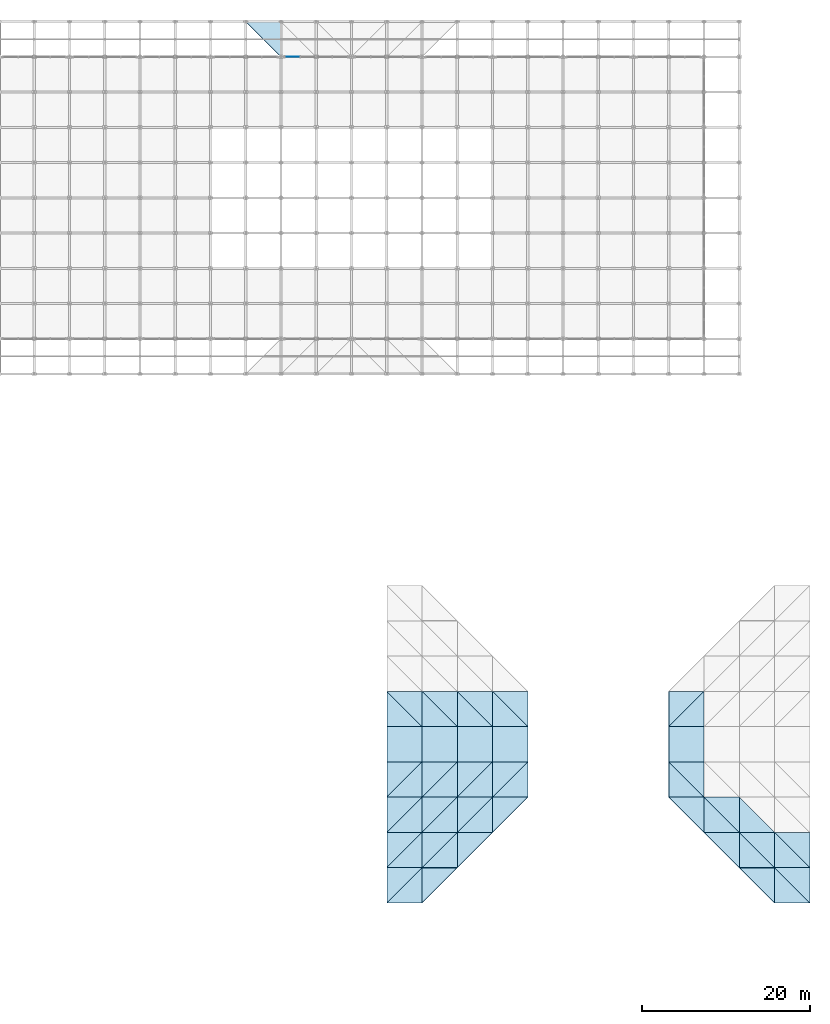
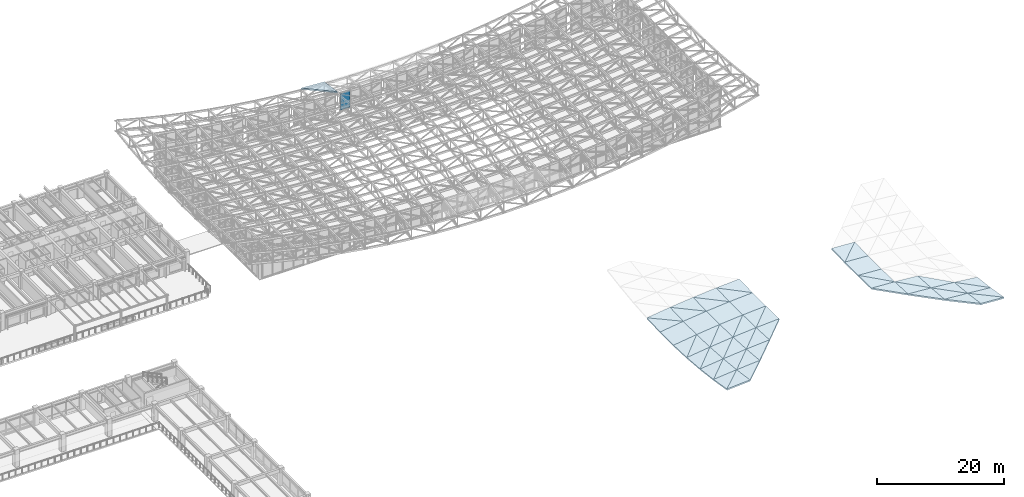
# One storey, part 66 of 111: 53 slabs, 1 plate, 1 element without a shape of its own.
"""IFC4 building model written with IfcOpenShell, lengths in metres."""

from ifc_helpers import new_model, si_unit, direction, frame, origin, origin_2d, place, context, subcontext, project, spatial, polyline, rectangle, outline, extrude, material, layer, layer_set, type_object, element, aggregate, save


model = new_model("IFC4")

# Units and contexts
model_context = context("Model", 3, precision=1e-05, world=origin(), true_north=direction((0.0, 1.0)))
body_context = subcontext(model_context, "Body", "Model", "MODEL_VIEW")
ifc_project = project(units=[si_unit("LENGTHUNIT", "METRE"), si_unit("AREAUNIT", "SQUARE_METRE"), si_unit("VOLUMEUNIT", "CUBIC_METRE"), si_unit("PLANEANGLEUNIT", "RADIAN"), si_unit("MASSUNIT", "GRAM", prefix="KILO")], contexts=[model_context])

# Site, building, storey
site_placement = place(None, origin())
site = spatial("IfcSite", under=ifc_project, at=site_placement, CompositionType="ELEMENT")
building_placement = place(site_placement, origin())
building = spatial("IfcBuilding", under=site, at=building_placement, Name="Cumbredor Promenade Congress Hotel", CompositionType="ELEMENT")
storey_placement = place(building_placement, frame((0.0, 0.0, 15.1201171875)))
storey = spatial("IfcBuildingStorey", under=building, at=storey_placement, Name="L04", CompositionType="ELEMENT", Elevation=15.1201171875)

# Slabs
ifc_material_1 = material(Name="Concrete C40/50", Category="concrete")
ifc_layer_1 = layer(ifc_material_1, 0.25, Name="Concrete C40/50", Category="concrete")
ifc_layer_set_1 = layer_set([ifc_layer_1], Name="Concrete C40/50")
slab_type = type_object("IfcSlabType", Name="Catenary Space Frame Roof Deck 250mm", PredefinedType="ROOF", material=ifc_layer_set_1)
slab_1_placement = place(storey_placement, frame((138.60009765625, 16.800048828125, 3.4736328125), z_axis=(-0.064059215696, 0.138057663961, 0.988350392475), x_axis=(0.997906149499, 0.0, 0.064678565174)))
element("IfcSlab", 1, at=slab_1_placement, inside=storey, type_object=slab_type, Name="Grand Ballroom Pavilion Sweeping Roof Deck Facet 1.5.1", PredefinedType="ROOF", context=body_context, shape_type="SweptSolid", body=[
    extrude(outline(polyline([(0.0, 0.0), (4.208763693845863, -6.938893903907228e-18), (4.170818725068158, 4.240557937667102), (0.0, 0.0)])), origin(), (0.0, 0.0, -1.0), 0.25),
])
slab_2_placement = place(storey_placement, frame((138.60009765625, 16.800048828125, 3.4736328125), z_axis=(-0.092176094731, 0.16568867059, 0.981860902571), x_axis=(0.70611791712, 0.70611791712, -0.052867515971)))
element("IfcSlab", 2, at=slab_2_placement, inside=storey, type_object=slab_type, Name="Grand Ballroom Pavilion Sweeping Roof Deck Facet 1.5.2", PredefinedType="ROOF", context=body_context, shape_type="SweptSolid", body=[
    extrude(outline(polyline([(0.0, 0.0), (5.947945902586088, 0.0), (3.0031301091491565, 3.0204489920337823), (0.0, 0.0)])), origin(), (0.0, 0.0, -1.0), 0.25),
])
slab_3_placement = place(storey_placement, frame((138.60009765625, 21.0, 2.764892578125), z_axis=(-0.092963249321, 0.103784977416, 0.990245683019), x_axis=(0.995622284371, 0.0, 0.093467999143)))
element("IfcSlab", 3, at=slab_3_placement, inside=storey, type_object=slab_type, Name="Grand Ballroom Pavilion Sweeping Roof Deck Facet 1.6.1", PredefinedType="ROOF", context=body_context, shape_type="SweptSolid", body=[
    extrude(outline(polyline([(0.0, 0.0), (4.218418207190164, 6.938893903907228e-18), (4.1772749448720345, 4.222755071488003), (0.0, 0.0)])), origin(), (0.0, 0.0, -1.0), 0.25),
])
slab_4_placement = place(storey_placement, frame((138.60009765625, 21.0, 2.764892578125), z_axis=(-0.113957332727, 0.124728563775, 0.985624934595), x_axis=(0.707085669988, 0.707085669988, -0.007727263033)))
element("IfcSlab", 4, at=slab_4_placement, inside=storey, type_object=slab_type, Name="Grand Ballroom Pavilion Sweeping Roof Deck Facet 1.6.2", PredefinedType="ROOF", context=body_context, shape_type="SweptSolid", body=[
    extrude(outline(polyline([(0.0, 0.0), (5.939805245867352, 2.5240226575462543e-16), (2.9738322833091337, 3.013037905238047), (0.0, 0.0)])), origin(), (0.0, 0.0, -1.0), 0.25),
])
slab_5_placement = place(storey_placement, frame((138.60009765625, 25.199951171875, 2.2333984375), z_axis=(-0.114578573817, 0.069242556927, 0.990998092194), x_axis=(0.993382355075, 0.0, 0.114854240786)))
element("IfcSlab", 5, at=slab_5_placement, inside=storey, type_object=slab_type, Name="Grand Ballroom Pavilion Sweeping Roof Deck Facet 1.7.1", PredefinedType="ROOF", context=body_context, shape_type="SweptSolid", body=[
    extrude(outline(polyline([(0.0, 0.0), (4.227930112126695, 0.0), (4.194225327599134, 4.2100559215792135), (0.0, 0.0)])), origin(), (0.0, 0.0, -1.0), 0.25),
])
slab_6_placement = place(storey_placement, frame((138.60009765625, 25.199951171875, 2.2333984375), z_axis=(-0.128557595316, 0.083349897589, 0.988193169), x_axis=(0.706737101646, 0.706737101646, 0.032331692088)))
element("IfcSlab", 6, at=slab_6_placement, inside=storey, type_object=slab_type, Name="Grand Ballroom Pavilion Sweeping Roof Deck Facet 1.7.2", PredefinedType="ROOF", context=body_context, shape_type="SweptSolid", body=[
    extrude(outline(polyline([(0.0, 0.0), (5.942734804910805, 2.42861286636753e-17), (2.9568078794922843, 3.0037258011711523), (0.0, 0.0)])), origin(), (0.0, 0.0, -1.0), 0.25),
])
slab_7_placement = place(storey_placement, frame((138.60009765625, 29.39990234375, 1.879150390625), z_axis=(-0.128929155735, 0.034621053896, 0.99104926993), x_axis=(0.991643748834, 0.0, 0.129006493628)))
element("IfcSlab", 7, at=slab_7_placement, inside=storey, type_object=slab_type, Name="Grand Ballroom Pavilion Sweeping Roof Deck Facet 1.8.1", PredefinedType="ROOF", context=body_context, shape_type="SweptSolid", body=[
    extrude(outline(polyline([(0.0, 0.0), (4.2353427597492725, 3.469446951953614e-18), (4.21641382843318, 4.2027147911800675), (0.0, 0.0)])), origin(), (0.0, 0.0, -1.0), 0.25),
])
slab_8_placement = place(storey_placement, frame((138.60009765625, 29.39990234375, 1.879150390625), z_axis=(-0.135963216815, 0.041770443432, 0.989832932231), x_axis=(0.705491068516, 0.705532078286, 0.067132993034)))
element("IfcSlab", 8, at=slab_8_placement, inside=storey, type_object=slab_type, Name="Grand Ballroom Pavilion Sweeping Roof Deck Facet 1.8.2", PredefinedType="ROOF", context=body_context, shape_type="SweptSolid", body=[
    extrude(outline(polyline([(0.0, 0.0), (5.953230819362397, -1.457167719820518e-16), (2.9514734672575313, 2.9936367870821297), (0.0, 0.0)])), origin(), (0.0, 0.0, -1.0), 0.25),
])
slab_9_placement = place(storey_placement, frame((138.60009765625, 33.60009765625, 1.701904296875), z_axis=(-0.136081984521, 0.0, 0.990697579228), x_axis=(0.990697579228, 0.0, 0.136081984521)))
element("IfcSlab", 9, at=slab_9_placement, inside=storey, type_object=slab_type, Name="Grand Ballroom Pavilion Sweeping Roof Deck Facet 1.9", PredefinedType="ROOF", context=body_context, shape_type="SweptSolid", body=[
    extrude(outline(polyline([(0.0, 0.0), (4.239387740451093, 0.0), (4.239387740451093, 4.199951171875001), (0.0, 4.199951171875001), (0.0, 0.0)])), origin(), (0.0, 0.0, -1.0), 0.25),
])
slab_10_placement = place(storey_placement, frame((138.60009765625, 37.800048828125, 1.701904296875), z_axis=(-0.135963203024, -0.041772867286, 0.989832831837), x_axis=(0.990697579228, 0.0, 0.136081984521)))
element("IfcSlab", 10, at=slab_10_placement, inside=storey, type_object=slab_type, Name="Grand Ballroom Pavilion Sweeping Roof Deck Facet 1.10.1", PredefinedType="ROOF", context=body_context, shape_type="SweptSolid", body=[
    extrude(outline(polyline([(0.0, 0.0), (4.239387740451093, 0.0), (0.024120000186112656, 4.203620374091224), (0.0, 0.0)])), origin(), (0.0, 0.0, -1.0), 0.25),
])
slab_11_placement = place(storey_placement, frame((142.800048828125, 37.800048828125, 2.27880859375), z_axis=(-0.128929146751, -0.034623063985, 0.991049200877), x_axis=(0.0, 0.999390304139, 0.034914466825)))
element("IfcSlab", 11, at=slab_11_placement, inside=storey, type_object=slab_type, Name="Grand Ballroom Pavilion Sweeping Roof Deck Facet 1.10.2", PredefinedType="ROOF", context=body_context, shape_type="SweptSolid", body=[
    extrude(outline(polyline([(0.0, 0.0), (4.20251342691867, 0.0), (4.183436625953352, 4.235299796735234), (0.0, 0.0)])), origin(), (0.0, 0.0, -1.0), 0.25),
])
slab_12_placement = place(storey_placement, frame((142.800048828125, 16.800048828125, 3.745849609375), z_axis=(-0.075774519583, 0.137944068604, 0.987537166956), x_axis=(0.706407215211, 0.706407215211, -0.044471255832)))
element("IfcSlab", 12, at=slab_12_placement, inside=storey, type_object=slab_type, Name="Grand Ballroom Pavilion Sweeping Roof Deck Facet 2.5.2", PredefinedType="ROOF", context=body_context, shape_type="SweptSolid", body=[
    extrude(outline(polyline([(0.0, 0.0), (5.945510013823402, -4.85722573273506e-17), (2.9929657595315278, 3.0043181265702996), (0.0, 0.0)])), origin(), (0.0, 0.0, -1.0), 0.25),
])
slab_13_placement = place(storey_placement, frame((142.800048828125, 21.0, 3.1591796875), z_axis=(-0.076219558009, 0.086439907833, 0.993337163963), x_axis=(0.997069127511, 0.0, 0.076505914568)))
element("IfcSlab", 13, at=slab_13_placement, inside=storey, type_object=slab_type, Name="Grand Ballroom Pavilion Sweeping Roof Deck Facet 2.6.1", PredefinedType="ROOF", context=body_context, shape_type="SweptSolid", body=[
    extrude(outline(polyline([(0.0, 0.0), (4.212296876905856, 3.469446951953614e-18), (4.184335608812976, 4.2157303707666465), (0.0, 0.0)])), origin(), (0.0, 0.0, -1.0), 0.25),
])
slab_14_placement = place(storey_placement, frame((142.800048828125, 21.0, 3.1591796875), z_axis=(-0.093590907895, 0.103778848054, 0.990187200814), x_axis=(0.707088068079, 0.707088068079, -0.007275160614)))
element("IfcSlab", 14, at=slab_14_placement, inside=storey, type_object=slab_type, Name="Grand Ballroom Pavilion Sweeping Roof Deck Facet 2.6.2", PredefinedType="ROOF", context=body_context, shape_type="SweptSolid", body=[
    extrude(outline(polyline([(0.0, 0.0), (5.93978510101035, -4.2760933682828295e-16), (2.972937780698883, 2.999165569605158), (0.0, 0.0)])), origin(), (0.0, 0.0, -1.0), 0.25),
])
slab_15_placement = place(storey_placement, frame((142.800048828125, 25.199951171875, 2.718994140625), z_axis=(-0.093942765329, 0.057602052296, 0.993909835153), x_axis=(0.995562844443, 0.0, 0.094099005119)))
element("IfcSlab", 15, at=slab_15_placement, inside=storey, type_object=slab_type, Name="Grand Ballroom Pavilion Sweeping Roof Deck Facet 2.7.1", PredefinedType="ROOF", context=body_context, shape_type="SweptSolid", body=[
    extrude(outline(polyline([(0.0, 0.0), (4.218670067206532, -3.469446951953614e-18), (4.195765597454634, 4.206936270583156), (0.0, 0.0)])), origin(), (0.0, 0.0, -1.0), 0.25),
])
slab_16_placement = place(storey_placement, frame((142.800048828125, 25.199951171875, 2.718994140625), z_axis=(-0.105582595074, 0.069312003976, 0.991992016965), x_axis=(0.706870570107, 0.706870570107, 0.02584558441)))
element("IfcSlab", 16, at=slab_16_placement, inside=storey, type_object=slab_type, Name="Grand Ballroom Pavilion Sweeping Roof Deck Facet 2.7.2", PredefinedType="ROOF", context=body_context, shape_type="SweptSolid", body=[
    extrude(outline(polyline([(0.0, 0.0), (5.94161272160446, -2.6020852139652106e-16), (2.961237310812713, 2.9927880754197984), (0.0, 0.0)])), origin(), (0.0, 0.0, -1.0), 0.25),
])
slab_17_placement = place(storey_placement, frame((142.800048828125, 29.39990234375, 2.425537109375), z_axis=(-0.105793136709, 0.028829987275, 0.993970142438), x_axis=(0.99438347829, 0.0, 0.105837130079)))
element("IfcSlab", 17, at=slab_17_placement, inside=storey, type_object=slab_type, Name="Grand Ballroom Pavilion Sweeping Roof Deck Facet 2.8.1", PredefinedType="ROOF", context=body_context, shape_type="SweptSolid", body=[
    extrude(outline(polyline([(0.0, 0.0), (4.223673525928231, 0.0), (4.210779793528467, 4.201941935696575), (0.0, 0.0)])), origin(), (0.0, 0.0, -1.0), 0.25),
])
slab_18_placement = place(storey_placement, frame((142.800048828125, 29.39990234375, 2.425537109375), z_axis=(-0.111594208283, 0.034694371845, 0.993148041955), x_axis=(0.706028895545, 0.706069936579, 0.054666656331)))
element("IfcSlab", 18, at=slab_18_placement, inside=storey, type_object=slab_type, Name="Grand Ballroom Pavilion Sweeping Roof Deck Facet 2.8.2", PredefinedType="ROOF", context=body_context, shape_type="SweptSolid", body=[
    extrude(outline(polyline([(0.0, 0.0), (5.94869586552827, 8.951173136040325e-16), (2.9576104805776997, 2.9859186468524963), (0.0, 0.0)])), origin(), (0.0, 0.0, -1.0), 0.25),
])
slab_19_placement = place(storey_placement, frame((142.800048828125, 33.60009765625, 2.27880859375), z_axis=(-0.11166143192, 0.0, 0.993746307979), x_axis=(0.993746307979, 0.0, 0.11166143192)))
element("IfcSlab", 19, at=slab_19_placement, inside=storey, type_object=slab_type, Name="Grand Ballroom Pavilion Sweeping Roof Deck Facet 2.9", PredefinedType="ROOF", context=body_context, shape_type="SweptSolid", body=[
    extrude(outline(polyline([(0.0, 0.0), (4.226381661147789, 0.0), (4.226381661147789, 4.199951171875), (0.0, 4.199951171875), (0.0, 0.0)])), origin(), (0.0, 0.0, -1.0), 0.25),
])
slab_20_placement = place(storey_placement, frame((142.800048828125, 37.800048828125, 2.27880859375), z_axis=(-0.111594200475, -0.03469638618, 0.993147972463), x_axis=(0.993746307979, 0.0, 0.11166143192)))
element("IfcSlab", 20, at=slab_20_placement, inside=storey, type_object=slab_type, Name="Grand Ballroom Pavilion Sweeping Roof Deck Facet 2.10.1", PredefinedType="ROOF", context=body_context, shape_type="SweptSolid", body=[
    extrude(outline(polyline([(0.0, 0.0), (4.226381661147789, 3.469446951953614e-18), (0.016383916158211703, 4.202481489634788), (0.0, 0.0)])), origin(), (0.0, 0.0, -1.0), 0.25),
])
slab_21_placement = place(storey_placement, frame((147.0, 37.800048828125, 2.750732421875), z_axis=(-0.105793131597, -0.028831661752, 0.993970094413), x_axis=(0.0, 0.999579574773, 0.028994373529)))
element("IfcSlab", 21, at=slab_21_placement, inside=storey, type_object=slab_type, Name="Grand Ballroom Pavilion Sweeping Roof Deck Facet 2.10.2", PredefinedType="ROOF", context=body_context, shape_type="SweptSolid", body=[
    extrude(outline(polyline([(0.0, 0.0), (4.2017176799837355, 0.0), (4.188756572090475, 4.223653639126816), (0.0, 0.0)])), origin(), (0.0, 0.0, -1.0), 0.25),
])
slab_22_placement = place(storey_placement, frame((147.0, 21.0, 3.4814453125), z_axis=(-0.073118508929, 0.086460037809, 0.9935684906), x_axis=(0.707074909046, 0.707074909046, -0.009494524443)))
element("IfcSlab", 22, at=slab_22_placement, inside=storey, type_object=slab_type, Name="Grand Ballroom Pavilion Sweeping Roof Deck Facet 3.6.2", PredefinedType="ROOF", context=body_context, shape_type="SweptSolid", body=[
    extrude(outline(polyline([(0.0, 0.0), (5.939895643504037, 7.025630077706069e-17), (2.973150137552249, 2.9889032522132064), (0.0, 0.0)])), origin(), (0.0, 0.0, -1.0), 0.25),
])
slab_23_placement = place(storey_placement, frame((147.0, 25.199951171875, 3.115966796875), z_axis=(-0.073306475585, 0.048639367687, 0.996122669428), x_axis=(0.997303071851, 0.0, 0.073393343543)))
element("IfcSlab", 23, at=slab_23_placement, inside=storey, type_object=slab_type, Name="Grand Ballroom Pavilion Sweeping Roof Deck Facet 3.7.1", PredefinedType="ROOF", context=body_context, shape_type="SweptSolid", body=[
    extrude(outline(polyline([(0.0, 0.0), (4.211308769037935, 1.734723475976807e-18), (4.196257399756737, 4.204928101617252), (0.0, 0.0)])), origin(), (0.0, 0.0, -1.0), 0.25),
])
slab_24_placement = place(storey_placement, frame((147.0, 25.199951171875, 3.115966796875), z_axis=(-0.082299424482, 0.057661648776, 0.994938158375), x_axis=(0.706998404473, 0.706998404473, 0.017507488247)))
element("IfcSlab", 24, at=slab_24_placement, inside=storey, type_object=slab_type, Name="Grand Ballroom Pavilion Sweeping Roof Deck Facet 3.7.2", PredefinedType="ROOF", context=body_context, shape_type="SweptSolid", body=[
    extrude(outline(polyline([(0.0, 0.0), (5.940538401928198, -1.8561541192951836e-16), (2.965097311125638, 2.984465669937961), (0.0, 0.0)])), origin(), (0.0, 0.0, -1.0), 0.25),
])
slab_25_placement = place(storey_placement, frame((147.0, 29.39990234375, 2.87255859375), z_axis=(-0.082412311855, 0.024264758631, 0.99630288183), x_axis=(0.996596312275, 0.0, 0.082436583873)))
element("IfcSlab", 25, at=slab_25_placement, inside=storey, type_object=slab_type, Name="Grand Ballroom Pavilion Sweeping Roof Deck Facet 3.8.1", PredefinedType="ROOF", context=body_context, shape_type="SweptSolid", body=[
    extrude(outline(polyline([(0.0, 0.0), (4.214295317117035, -1.734723475976807e-18), (4.205862473210107, 4.201432351155023), (0.0, 0.0)])), origin(), (0.0, 0.0, -1.0), 0.25),
])
slab_26_placement = place(storey_placement, frame((147.0, 29.39990234375, 2.87255859375), z_axis=(-0.087000615098, 0.028882756814, 0.995789475407), x_axis=(0.70648492863, 0.706525996172, 0.041231812378)))
element("IfcSlab", 26, at=slab_26_placement, inside=storey, type_object=slab_type, Name="Grand Ballroom Pavilion Sweeping Roof Deck Facet 3.8.2", PredefinedType="ROOF", context=body_context, shape_type="SweptSolid", body=[
    extrude(outline(polyline([(0.0, 0.0), (5.944856007077805, 4.649058915617843e-16), (2.962524063419688, 2.9799217192671343), (0.0, 0.0)])), origin(), (0.0, 0.0, -1.0), 0.25),
])
slab_27_placement = place(storey_placement, frame((147.0, 33.60009765625, 2.750732421875), z_axis=(-0.087036926368, 0.0, 0.996205086038), x_axis=(0.996205086038, 0.0, 0.087036926368)))
element("IfcSlab", 27, at=slab_27_placement, inside=storey, type_object=slab_type, Name="Grand Ballroom Pavilion Sweeping Roof Deck Facet 3.9", PredefinedType="ROOF", context=body_context, shape_type="SweptSolid", body=[
    extrude(outline(polyline([(0.0, 0.0), (4.215950340685193, 0.0), (4.215950340685193, 4.199951171875), (0.0, 4.199951171875), (0.0, 0.0)])), origin(), (0.0, 0.0, -1.0), 0.25),
])
slab_28_placement = place(storey_placement, frame((147.0, 37.800048828125, 2.750732421875), z_axis=(-0.087000610879, -0.02888443435, 0.995789427117), x_axis=(0.996205086038, 0.0, 0.087036926368)))
element("IfcSlab", 28, at=slab_28_placement, inside=storey, type_object=slab_type, Name="Grand Ballroom Pavilion Sweeping Roof Deck Facet 3.10.1", PredefinedType="ROOF", context=body_context, shape_type="SweptSolid", body=[
    extrude(outline(polyline([(0.0, 0.0), (4.215950340685192, 0.0), (0.01060337555122703, 4.20170430072308), (0.0, 0.0)])), origin(), (0.0, 0.0, -1.0), 0.25),
])
slab_29_placement = place(storey_placement, frame((151.199951171875, 37.800048828125, 3.11767578125), z_axis=(-0.082412309034, -0.024266168296, 0.99630284773), x_axis=(0.0, 0.999703519252, 0.024348995789)))
element("IfcSlab", 29, at=slab_29_placement, inside=storey, type_object=slab_type, Name="Grand Ballroom Pavilion Sweeping Roof Deck Facet 3.10.2", PredefinedType="ROOF", context=body_context, shape_type="SweptSolid", body=[
    extrude(outline(polyline([(0.0, 0.0), (4.201196745830359, 0.0), (4.192737609841973, 4.214286827316444), (0.0, 0.0)])), origin(), (0.0, 0.0, -1.0), 0.25),
])
slab_30_placement = place(storey_placement, frame((151.199951171875, 25.199951171875, 3.425048828125), z_axis=(-0.058944578235, 0.048685787332, 0.997073332714), x_axis=(0.707088068079, 0.707088068079, 0.007275160614)))
element("IfcSlab", 30, at=slab_30_placement, inside=storey, type_object=slab_type, Name="Grand Ballroom Pavilion Sweeping Roof Deck Facet 4.7.2", PredefinedType="ROOF", context=body_context, shape_type="SweptSolid", body=[
    extrude(outline(polyline([(0.0, 0.0), (5.93978510101035, 8.066464163292153e-17), (2.9682433838473403, 2.978452299053015), (0.0, 0.0)])), origin(), (0.0, 0.0, -1.0), 0.25),
])
slab_31_placement = place(storey_placement, frame((151.199951171875, 29.39990234375, 3.219970703125), z_axis=(-0.059001546476, 0.021000313015, 0.998036975451), x_axis=(0.998257121983, 0.0, 0.05901456101)))
element("IfcSlab", 31, at=slab_31_placement, inside=storey, type_object=slab_type, Name="Grand Ballroom Pavilion Sweeping Roof Deck Facet 4.8.1", PredefinedType="ROOF", context=body_context, shape_type="SweptSolid", body=[
    extrude(outline(polyline([(0.0, 0.0), (4.20728395459283, -8.673617379884035e-19), (4.2020683122379365, 4.201121789628544), (0.0, 0.0)])), origin(), (0.0, 0.0, -1.0), 0.25),
])
slab_32_placement = place(storey_placement, frame((151.199951171875, 29.39990234375, 3.219970703125), z_axis=(-0.06229125977, 0.024300298652, 0.997762143219), x_axis=(0.706830120334, 0.706871207942, 0.026912383237)))
element("IfcSlab", 32, at=slab_32_placement, inside=storey, type_object=slab_type, Name="Grand Ballroom Pavilion Sweeping Roof Deck Facet 4.8.2", PredefinedType="ROOF", context=body_context, shape_type="SweptSolid", body=[
    extrude(outline(polyline([(0.0, 0.0), (5.941952742323514, 7.979727989493313e-17), (2.966244133998192, 2.9754832635573174), (0.0, 0.0)])), origin(), (0.0, 0.0, -1.0), 0.25),
])
slab_33_placement = place(storey_placement, frame((151.199951171875, 33.60009765625, 3.11767578125), z_axis=(-0.062309659554, 0.0, 0.998056865277), x_axis=(0.998056865277, 0.0, 0.062309659554)))
element("IfcSlab", 33, at=slab_33_placement, inside=storey, type_object=slab_type, Name="Grand Ballroom Pavilion Sweeping Roof Deck Facet 4.9", PredefinedType="ROOF", context=body_context, shape_type="SweptSolid", body=[
    extrude(outline(polyline([(0.0, 0.0), (4.208128131767274, 0.0), (4.208128131767274, 4.199951171875), (0.0, 4.199951171875), (0.0, 0.0)])), origin(), (0.0, 0.0, -1.0), 0.25),
])
slab_34_placement = place(storey_placement, frame((151.199951171875, 37.800048828125, 3.11767578125), z_axis=(-0.062291257631, -0.024301710379, 0.99776210897), x_axis=(0.998056865277, 0.0, 0.062309659554)))
element("IfcSlab", 34, at=slab_34_placement, inside=storey, type_object=slab_type, Name="Grand Ballroom Pavilion Sweeping Roof Deck Facet 4.10.1", PredefinedType="ROOF", context=body_context, shape_type="SweptSolid", body=[
    extrude(outline(polyline([(0.0, 0.0), (4.208128131767274, 0.0), (0.006373961756133575, 4.201191910611455), (0.0, 0.0)])), origin(), (0.0, 0.0, -1.0), 0.25),
])
slab_35_placement = place(storey_placement, frame((155.39990234375, 37.800048828125, 3.3798828125), z_axis=(-0.059001544964, -0.021001533212, 0.998036949864), x_axis=(0.0, 0.999778672914, 0.021038184014)))
element("IfcSlab", 35, at=slab_35_placement, inside=storey, type_object=slab_type, Name="Grand Ballroom Pavilion Sweeping Roof Deck Facet 4.10.2", PredefinedType="ROOF", context=body_context, shape_type="SweptSolid", body=[
    extrude(outline(polyline([(0.0, 0.0), (4.200880940612829, 0.0), (4.195657348537059, 4.207280711892197), (0.0, 0.0)])), origin(), (0.0, 0.0, -1.0), 0.25),
])
slab_36_placement = place(storey_placement, frame((176.39990234375, 25.199951171875, 3.425048828125), z_axis=(0.058944578235, 0.048685787332, 0.997073332714), x_axis=(0.0, 0.998810006887, -0.048770586862)))
element("IfcSlab", 36, at=slab_36_placement, inside=storey, type_object=slab_type, Name="Grand Ballroom Pavilion Sweeping Roof Deck Facet 9.7.2", PredefinedType="ROOF", context=body_context, shape_type="SweptSolid", body=[
    extrude(outline(polyline([(0.0, 0.0), (4.204955039413347, 1.734723475976807e-18), (4.192845740868784, 4.207266528217941), (0.0, 0.0)])), origin(), (0.0, 0.0, -1.0), 0.25),
])
slab_37_placement = place(storey_placement, frame((172.199951171875, 29.39990234375, 3.46826171875), z_axis=(0.059001546476, 0.021000313015, 0.998036975451), x_axis=(0.998257121983, 0.0, -0.05901456101)))
element("IfcSlab", 37, at=slab_37_placement, inside=storey, type_object=slab_type, Name="Grand Ballroom Pavilion Sweeping Roof Deck Facet 9.8.1", PredefinedType="ROOF", context=body_context, shape_type="SweptSolid", body=[
    extrude(outline(polyline([(0.0, 0.0), (4.20728395459283, 8.673617379884035e-19), (0.005215642354893732, 4.201121789628545), (0.0, 0.0)])), origin(), (0.0, 0.0, -1.0), 0.25),
])
slab_38_placement = place(storey_placement, frame((176.39990234375, 29.39990234375, 3.219970703125), z_axis=(0.06229125977, 0.024300298652, 0.997762143219), x_axis=(0.0, 0.999703553702, -0.024347581318)))
element("IfcSlab", 38, at=slab_38_placement, inside=storey, type_object=slab_type, Name="Grand Ballroom Pavilion Sweeping Roof Deck Facet 9.8.2", PredefinedType="ROOF", context=body_context, shape_type="SweptSolid", body=[
    extrude(outline(polyline([(0.0, 0.0), (4.2014408140765696, 0.0), (4.195056707060965, 4.208123289133618), (0.0, 0.0)])), origin(), (0.0, 0.0, -1.0), 0.25),
])
slab_39_placement = place(storey_placement, frame((172.199951171875, 33.60009765625, 3.3798828125), z_axis=(0.062309659554, 0.0, 0.998056865277), x_axis=(0.998056865277, 0.0, -0.062309659554)))
element("IfcSlab", 39, at=slab_39_placement, inside=storey, type_object=slab_type, Name="Grand Ballroom Pavilion Sweeping Roof Deck Facet 9.9", PredefinedType="ROOF", context=body_context, shape_type="SweptSolid", body=[
    extrude(outline(polyline([(0.0, 0.0), (4.208128131767274, 0.0), (4.208128131767274, 4.199951171875), (0.0, 4.199951171875), (0.0, 0.0)])), origin(), (0.0, 0.0, -1.0), 0.25),
])
slab_40_placement = place(storey_placement, frame((172.199951171875, 37.800048828125, 3.3798828125), z_axis=(0.062291257631, -0.024301710379, 0.99776210897), x_axis=(0.998056865277, 0.0, -0.062309659554)))
element("IfcSlab", 40, at=slab_40_placement, inside=storey, type_object=slab_type, Name="Grand Ballroom Pavilion Sweeping Roof Deck Facet 9.10.1", PredefinedType="ROOF", context=body_context, shape_type="SweptSolid", body=[
    extrude(outline(polyline([(0.0, 0.0), (4.208128131767274, 0.0), (4.2017541700111405, 4.201191910611455), (0.0, 0.0)])), origin(), (0.0, 0.0, -1.0), 0.25),
])
slab_41_placement = place(storey_placement, frame((172.199951171875, 37.800048828125, 3.3798828125), z_axis=(0.059001544964, -0.021001533212, 0.998036949864), x_axis=(0.706850649556, 0.706850649556, -0.026913164882)))
element("IfcSlab", 41, at=slab_41_placement, inside=storey, type_object=slab_type, Name="Grand Ballroom Pavilion Sweeping Roof Deck Facet 9.10.2", PredefinedType="ROOF", context=body_context, shape_type="SweptSolid", body=[
    extrude(outline(polyline([(0.0, 0.0), (5.941780168854544, -1.0061396160665481e-16), (2.966359657868212, 2.9745774586277145), (0.0, 0.0)])), origin(), (0.0, 0.0, -1.0), 0.25),
])
slab_42_placement = place(storey_placement, frame((180.60009765625, 21.0, 3.4814453125), z_axis=(0.073114281561, 0.086460064677, 0.993568799353), x_axis=(0.0, 0.996235153728, -0.08669209005)))
element("IfcSlab", 42, at=slab_42_placement, inside=storey, type_object=slab_type, Name="Grand Ballroom Pavilion Sweeping Roof Deck Facet 10.6.2", PredefinedType="ROOF", context=body_context, shape_type="SweptSolid", body=[
    extrude(outline(polyline([(0.0, 0.0), (4.215823097749435, 3.469446951953614e-18), (4.18902813046347, 4.211467012208067), (0.0, 0.0)])), origin(), (0.0, 0.0, -1.0), 0.25),
])
slab_43_placement = place(storey_placement, frame((176.39990234375, 25.199951171875, 3.425048828125), z_axis=(0.073302237468, 0.04863938288, 0.996122980568), x_axis=(0.997303384098, 0.0, -0.073389100457)))
element("IfcSlab", 43, at=slab_43_placement, inside=storey, type_object=slab_type, Name="Grand Ballroom Pavilion Sweeping Roof Deck Facet 10.7.1", PredefinedType="ROOF", context=body_context, shape_type="SweptSolid", body=[
    extrude(outline(polyline([(0.0, 0.0), (4.211552251271328, 0.0), (0.015050499117233385, 4.204928104731878), (0.0, 0.0)])), origin(), (0.0, 0.0, -1.0), 0.25),
])
slab_44_placement = place(storey_placement, frame((180.60009765625, 25.199951171875, 3.115966796875), z_axis=(0.082294673143, 0.057661671477, 0.99493855007), x_axis=(0.0, 0.99832482726, -0.057857923198)))
element("IfcSlab", 44, at=slab_44_placement, inside=storey, type_object=slab_type, Name="Grand Ballroom Pavilion Sweeping Roof Deck Facet 10.7.2", PredefinedType="ROOF", context=body_context, shape_type="SweptSolid", body=[
    extrude(outline(polyline([(0.0, 0.0), (4.206998621283674, 0.0), (4.186898078141343, 4.214490693435298), (0.0, 0.0)])), origin(), (0.0, 0.0, -1.0), 0.25),
])
slab_45_placement = place(storey_placement, frame((184.800048828125, 16.800048828125, 3.745849609375), z_axis=(0.075774519583, 0.137944068604, 0.987537166956), x_axis=(0.0, 0.990384544095, -0.138341804305)))
element("IfcSlab", 45, at=slab_45_placement, inside=storey, type_object=slab_type, Name="Grand Ballroom Pavilion Sweeping Roof Deck Facet 11.5.2", PredefinedType="ROOF", context=body_context, shape_type="SweptSolid", body=[
    extrude(outline(polyline([(0.0, 0.0), (4.240727702101021, 0.0), (4.196144894073031, 4.212060938830203), (0.0, 0.0)])), origin(), (0.0, 0.0, -1.0), 0.25),
])
slab_46_placement = place(storey_placement, frame((180.60009765625, 21.0, 3.4814453125), z_axis=(0.076219558009, 0.086439907833, 0.993337163963), x_axis=(0.997069127511, 0.0, -0.076505914568)))
element("IfcSlab", 46, at=slab_46_placement, inside=storey, type_object=slab_type, Name="Grand Ballroom Pavilion Sweeping Roof Deck Facet 11.6.1", PredefinedType="ROOF", context=body_context, shape_type="SweptSolid", body=[
    extrude(outline(polyline([(0.0, 0.0), (4.212296876905856, -3.469446951953614e-18), (0.02796126809287932, 4.2157303707666465), (0.0, 0.0)])), origin(), (0.0, 0.0, -1.0), 0.25),
])
slab_47_placement = place(storey_placement, frame((184.800048828125, 21.0, 3.1591796875), z_axis=(0.093590907895, 0.103778848054, 0.990187200814), x_axis=(0.0, 0.99455255237, -0.104236368768)))
element("IfcSlab", 47, at=slab_47_placement, inside=storey, type_object=slab_type, Name="Grand Ballroom Pavilion Sweeping Roof Deck Facet 11.6.2", PredefinedType="ROOF", context=body_context, shape_type="SweptSolid", body=[
    extrude(outline(polyline([(0.0, 0.0), (4.222955500808863, 0.0), (4.181576512621002, 4.218467128623964), (0.0, 0.0)])), origin(), (0.0, 0.0, -1.0), 0.25),
])
slab_48_placement = place(storey_placement, frame((180.60009765625, 25.199951171875, 3.115966796875), z_axis=(0.093942765329, 0.057602052296, 0.993909835153), x_axis=(0.995562844443, 0.0, -0.094099005119)))
element("IfcSlab", 48, at=slab_48_placement, inside=storey, type_object=slab_type, Name="Grand Ballroom Pavilion Sweeping Roof Deck Facet 11.7.1", PredefinedType="ROOF", context=body_context, shape_type="SweptSolid", body=[
    extrude(outline(polyline([(0.0, 0.0), (4.218670067206532, 3.469446951953614e-18), (0.022904469751898304, 4.206936270583156), (0.0, 0.0)])), origin(), (0.0, 0.0, -1.0), 0.25),
])
slab_49_placement = place(storey_placement, frame((184.800048828125, 16.800048828125, 3.745849609375), z_axis=(0.064059215696, 0.138057663961, 0.988350392475), x_axis=(0.997906149499, 0.0, -0.064678565174)))
element("IfcSlab", 49, at=slab_49_placement, inside=storey, type_object=slab_type, Name="Grand Ballroom Pavilion Sweeping Roof Deck Facet 12.5.1", PredefinedType="ROOF", context=body_context, shape_type="SweptSolid", body=[
    extrude(outline(polyline([(0.0, 0.0), (4.208763693845863, 6.938893903907228e-18), (0.03794496877770485, 4.240557937667102), (0.0, 0.0)])), origin(), (0.0, 0.0, -1.0), 0.25),
])
slab_50_placement = place(storey_placement, frame((189.0, 16.800048828125, 3.4736328125), z_axis=(0.092176094731, 0.16568867059, 0.981860902571), x_axis=(0.0, 0.986058829557, -0.166397069244)))
element("IfcSlab", 50, at=slab_50_placement, inside=storey, type_object=slab_type, Name="Grand Ballroom Pavilion Sweeping Roof Deck Facet 12.5.2", PredefinedType="ROOF", context=body_context, shape_type="SweptSolid", body=[
    extrude(outline(polyline([(0.0, 0.0), (4.259331234590252, 0.0), (4.193723015149586, 4.217907980539086), (0.0, 0.0)])), origin(), (0.0, 0.0, -1.0), 0.25),
])
slab_51_placement = place(storey_placement, frame((184.800048828125, 21.0, 3.1591796875), z_axis=(0.092963249321, 0.103784977416, 0.990245683019), x_axis=(0.995622284371, 0.0, -0.093467999143)))
element("IfcSlab", 51, at=slab_51_placement, inside=storey, type_object=slab_type, Name="Grand Ballroom Pavilion Sweeping Roof Deck Facet 12.6.1", PredefinedType="ROOF", context=body_context, shape_type="SweptSolid", body=[
    extrude(outline(polyline([(0.0, 0.0), (4.218418207190164, -6.938893903907228e-18), (0.04114326231812923, 4.222755071488003), (0.0, 0.0)])), origin(), (0.0, 0.0, -1.0), 0.25),
])
slab_52_placement = place(storey_placement, frame((189.0, 21.0, 2.764892578125), z_axis=(0.113957332727, 0.124728563775, 0.985624934595), x_axis=(0.0, 0.992087746619, -0.125546417741)))
element("IfcSlab", 52, at=slab_52_placement, inside=storey, type_object=slab_type, Name="Grand Ballroom Pavilion Sweeping Roof Deck Facet 12.6.2", PredefinedType="ROOF", context=body_context, shape_type="SweptSolid", body=[
    extrude(outline(polyline([(0.0, 0.0), (4.23344727942287, -6.938893903907228e-18), (4.172482478425325, 4.227490547129228), (0.0, 0.0)])), origin(), (0.0, 0.0, -1.0), 0.25),
])
slab_53_placement = place(storey_placement, frame((126.0, 117.60009765625, 3.9326171875), z_axis=(0.062113086697, 0.15060846322, 0.986640286663), x_axis=(0.0, 0.988549058169, -0.15089983298)))
element("IfcSlab", 53, at=slab_53_placement, inside=storey, type_object=slab_type, Name="Pre-Function and Breakout Meeting Forum Sweeping Roof Deck Facet 9.10.2", PredefinedType="ROOF", context=body_context, shape_type="SweptSolid", body=[
    extrude(outline(polyline([(0.0, 0.0), (4.24860166237426, 0.0), (4.20870309813668, 4.2080764706587654), (0.0, 0.0)])), origin(), (0.0, 0.0, -1.0), 0.25),
])

# Curtain wall, plate
ifc_material_2 = material(Name="Thermally broken anodized aluminium and low-E glass", Category="aluminium")
curtain_wall_type = type_object("IfcCurtainWallType", Name="Stepped Pavilion Clerestory Curtain Wall CW-06", PredefinedType="NOTDEFINED", material=ifc_material_2)
curtain_wall_placement = place(storey_placement, origin())
curtain_wall = element("IfcCurtainWall", 54, at=curtain_wall_placement, inside=storey, type_object=curtain_wall_type, Name="Pre-Function and Breakout Meeting Forum N Glazed Clerestory 9", PredefinedType="NOTDEFINED")
ifc_material_3 = material(Name="Laminated low-E solar-control glass", Category="glass")
ifc_layer_2 = layer(ifc_material_3, 0.031982421875, Name="Laminated low-E solar-control glass", Category="glass")
ifc_layer_set_2 = layer_set([ifc_layer_2], Name="Laminated low-E solar-control glass")
plate_type = type_object("IfcPlateType", Name="Clerestory Glazed Vision Panel PNL-07", PredefinedType="CURTAIN_PANEL", material=ifc_layer_set_2)
plate_placement = place(storey_placement, frame((127.3701171875, 117.60009765625, 0.169921875), z_axis=(0.0, 0.0, 1.0), x_axis=(1.0, 0.0, 0.0)))
plate = element("IfcPlate", 55, at=plate_placement, type_object=plate_type, Name="Pre-Function and Breakout Meeting Forum N Glazed Clerestory 9 Glazing Panel 1.1", PredefinedType="CURTAIN_PANEL", context=body_context, shape_type="SweptSolid", body=[
    extrude(rectangle(XDim=1.77490234375, YDim=0.031982421875, at=origin_2d()), origin(), (0.0, 0.0, 1.0), 3.2099609375),
])
aggregate(curtain_wall, [plate])

save(model, "model.ifc")
